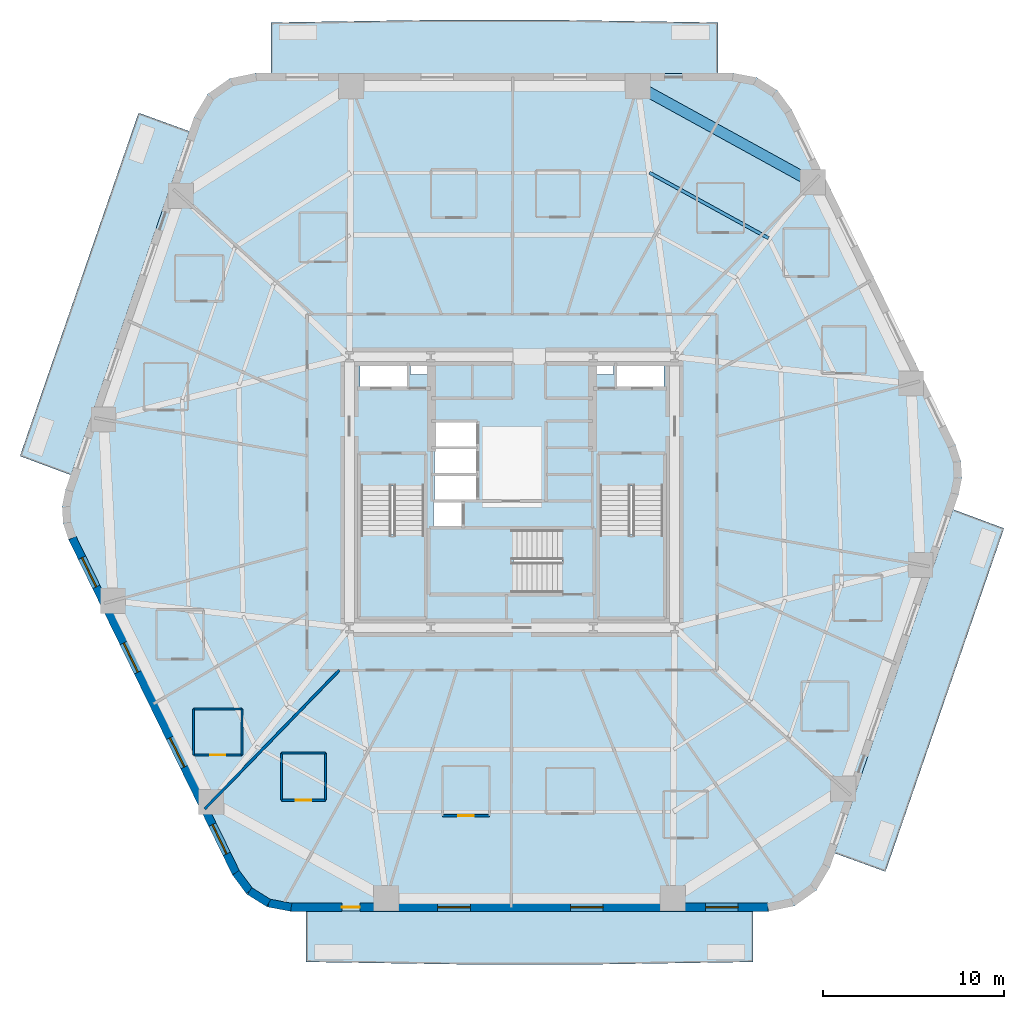
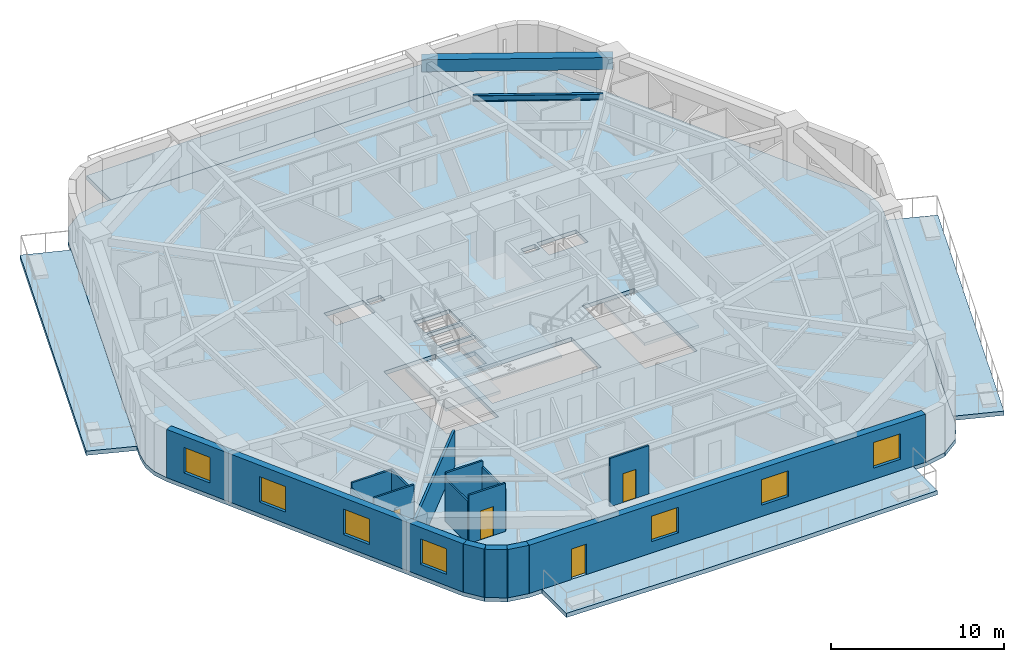
# One storey, part 2 of 11: 15 walls, 8 slabs, 7 windows, 4 doors, 2 beams, 11 openings, 3 elements without a shape of their own.
"""IFC4 building model written with IfcOpenShell, lengths in metres."""

from ifc_helpers import new_model, si_unit, direction, frame, frame_2d, origin, origin_2d, place, context, subcontext, project, spatial, polyline, rectangle, i_section, outline, extrude, material, layer, layer_set, material_profile, profile_set, type_object, element, fill, aggregate, save


model = new_model("IFC4")

# Units and contexts
model_context = context("Model", 3, precision=1e-05, world=origin(), true_north=direction((0.0, 1.0)))
body_context = subcontext(model_context, "Body", "Model", "MODEL_VIEW")
ifc_project = project(units=[si_unit("LENGTHUNIT", "METRE"), si_unit("AREAUNIT", "SQUARE_METRE"), si_unit("VOLUMEUNIT", "CUBIC_METRE"), si_unit("PLANEANGLEUNIT", "RADIAN"), si_unit("MASSUNIT", "GRAM", prefix="KILO")], contexts=[model_context])

# Site, building, storey
site_placement = place(None, origin())
site = spatial("IfcSite", under=ifc_project, at=site_placement, CompositionType="ELEMENT")
building_placement = place(site_placement, origin())
building = spatial("IfcBuilding", under=site, at=building_placement, Name="Kilnhurst Terrace Hotel", CompositionType="ELEMENT")
storey_placement = place(building_placement, frame((0.0, 0.0, 34.199951171875)))
storey = spatial("IfcBuildingStorey", under=building, at=storey_placement, Name="L06", CompositionType="ELEMENT", Elevation=34.199951171875)

# Beams
ifc_material_1 = material(Name="Concrete C50/60", Category="concrete")
ifc_material_profile_1 = material_profile(ifc_material_1, rectangle(XDim=0.60009765625, YDim=0.85009765625, at=origin_2d()), Name="RC600X850")
ifc_profile_set_1 = profile_set([ifc_material_profile_1], Name="Concrete C50/60")
beam_type_1 = type_object("IfcBeamType", Name="BM-SPN-600X850", PredefinedType="SPANDREL", material=ifc_profile_set_1)
beam_1_placement = place(storey_placement, frame((16.64306640625, 17.152099609375, 2.97509765625), z_axis=(-0.876235488803, 0.481883147829, 0.0), x_axis=(-0.481883147829, -0.876235488803, 0.0)))
element("IfcBeam", 1, at=beam_1_placement, inside=storey, type_object=beam_type_1, Name="L06 Perimeter Spandrel Beam 6", PredefinedType="SPANDREL", context=body_context, shape_type="SweptSolid", body=[
    extrude(rectangle(XDim=0.60009765625, YDim=0.85009765625, at=origin_2d()), origin(), (0.0, 0.0, 1.0), 11.056396484375),
])
ifc_material_2 = material(Name="Steel ASTM A992 Grade 50", Category="steel")
ifc_material_profile_2 = material_profile(ifc_material_2, i_section(OverallWidth=0.180908203125, OverallDepth=0.417236328125, WebThickness=0.010986328125, FlangeThickness=0.018310546875, at=origin_2d()), Name="W16X57")
ifc_profile_set_2 = profile_set([ifc_material_profile_2], Name="Steel ASTM A992 Grade 50")
beam_type_2 = type_object("IfcBeamType", Name="JST-STL-W16X57", PredefinedType="JOIST", material=ifc_profile_set_2)
beam_2_placement = place(storey_placement, frame((14.197265625, 14.0634765625, 3.191162109375), z_axis=(-0.876246073632, 0.481863900334, 0.0), x_axis=(-0.481863900334, -0.876246073632, 0.0)))
element("IfcBeam", 2, at=beam_2_placement, inside=storey, type_object=beam_type_2, Name="L06 Secondary Floor Steel Joist OUT.6", PredefinedType="JOIST", context=body_context, shape_type="SweptSolid", body=[
    extrude(i_section(OverallWidth=0.180908203125, OverallDepth=0.417236328125, WebThickness=0.010986328125, FlangeThickness=0.018310546875, at=origin_2d()), origin(), (0.0, 0.0, 1.0), 7.518310546875),
])

# Slabs
ifc_layer_1 = layer(ifc_material_1, 0.300048828125, Name="Concrete C50/60")
ifc_layer_set_1 = layer_set([ifc_layer_1], Name="Concrete C50/60")
slab_type_1 = type_object("IfcSlabType", Name="SLB-BAL-300", PredefinedType="FLOOR", material=ifc_layer_set_1)
slab_1_placement = place(storey_placement, frame((0.0, 0.0, -0.300048828125)))
element("IfcSlab", 3, at=slab_1_placement, inside=storey, type_object=slab_type_1, Name="L06 Cantilevered Planted Terrace Slab BAL-L1A", PredefinedType="FLOOR", context=body_context, shape_type="SweptSolid", body=[
    extrude(outline(polyline([(4.229248046875, -26.139892578125), (-2.279541015625, -26.139892578125), (-11.39208984375, -26.0), (-11.39208984375, -23.179931640625), (13.341552734375, -23.179931640625), (13.341552734375, -26.0), (4.229248046875, -26.139892578125)])), origin(), (0.0, 0.0, 1.0), 0.300048828125),
])
slab_2_placement = place(storey_placement, frame((0.0, 0.0, -0.300048828125)))
element("IfcSlab", 4, at=slab_2_placement, inside=storey, type_object=slab_type_1, Name="L06 Cantilevered Planted Terrace Slab BAL-L1B", PredefinedType="FLOOR", context=body_context, shape_type="SweptSolid", body=[
    extrude(outline(polyline([(20.670166015625, -21.0), (17.84912109375, -19.975341796875), (24.410888671875, -0.9501953125), (27.23388671875, -2.0), (23.98046875, -11.4296875), (20.670166015625, -21.0)])), origin(), (0.0, 0.0, 1.0), 0.300048828125),
])
slab_3_placement = place(storey_placement, frame((0.0, 0.0, -0.300048828125)))
element("IfcSlab", 5, at=slab_3_placement, inside=storey, type_object=slab_type_1, Name="L06 Cantilevered Planted Terrace Slab BAL-L2A", PredefinedType="FLOOR", context=body_context, shape_type="SweptSolid", body=[
    extrude(outline(polyline([(2.279541015625, 26.139892578125), (11.39208984375, 26.0), (11.39208984375, 23.179931640625), (-13.341552734375, 23.179931640625), (-13.341552734375, 26.0), (-4.229248046875, 26.139892578125), (2.279541015625, 26.139892578125)])), origin(), (0.0, 0.0, 1.0), 0.300048828125),
])
slab_4_placement = place(storey_placement, frame((0.0, 0.0, -0.300048828125)))
element("IfcSlab", 6, at=slab_4_placement, inside=storey, type_object=slab_type_1, Name="L06 Cantilevered Planted Terrace Slab BAL-L2B", PredefinedType="FLOOR", context=body_context, shape_type="SweptSolid", body=[
    extrude(outline(polyline([(-20.670166015625, 21.0), (-17.84912109375, 19.975341796875), (-24.410888671875, 0.9501953125), (-27.23388671875, 2.0), (-23.98046875, 11.4296875), (-20.670166015625, 21.0)])), origin(), (0.0, 0.0, 1.0), 0.300048828125),
])
ifc_layer_2 = layer(ifc_material_1, 0.280029296875, Name="Concrete C50/60")
ifc_layer_set_2 = layer_set([ifc_layer_2], Name="Concrete C50/60")
slab_type_2 = type_object("IfcSlabType", Name="SLB-FLR-280", PredefinedType="FLOOR", material=ifc_layer_set_2)
slab_5_placement = place(storey_placement, frame((0.0, 0.0, -0.280029296875)))
element("IfcSlab", 7, at=slab_5_placement, inside=storey, type_object=slab_type_2, Name="L06 Structural Floor Slab", PredefinedType="FLOOR", context=body_context, shape_type="SweptSolid", body=[
    extrude(outline(polyline([(-15.476806640625, -21.18017578125), (-14.680908203125, -22.248046875), (-13.551025390625, -22.95361328125), (-12.241943359375, -23.199951171875), (14.191650390625, -23.199951171875), (15.635986328125, -22.8974609375), (16.837890625, -22.040771484375), (17.5947265625, -20.773681640625), (24.712890625, -0.135986328125), (24.90087890625, 0.7861328125), (24.843505859375, 1.7255859375), (24.54443359375, 2.617919921875), (15.476806640625, 21.18017578125), (14.680908203125, 22.248046875), (13.551025390625, 22.95361328125), (12.241943359375, 23.199951171875), (-14.191650390625, 23.199951171875), (-15.635986328125, 22.8974609375), (-16.837890625, 22.040771484375), (-17.5947265625, 20.773681640625), (-24.712890625, 0.135986328125), (-24.90087890625, -0.7861328125), (-24.843505859375, -1.7255859375), (-24.54443359375, -2.617919921875), (-15.476806640625, -21.18017578125)]), holes=[polyline([(-8.35009765625, 0.35498046875), (-4.8798828125, 0.35498046875), (-4.8798828125, -6.89990234375), (-8.35009765625, -6.89990234375), (-8.35009765625, 0.35498046875)]), polyline([(-2.800048828125, -1.89990234375), (-4.35009765625, -1.89990234375), (-4.35009765625, -0.550048828125), (-2.800048828125, -0.550048828125), (-2.800048828125, -1.89990234375)]), polyline([(-1.949951171875, -0.429931640625), (-4.300048828125, -0.429931640625), (-4.300048828125, 0.89990234375), (-1.949951171875, 0.89990234375), (-1.949951171875, -0.429931640625)]), polyline([(-4.300048828125, 1.050048828125), (-4.300048828125, 2.3798828125), (-1.949951171875, 2.3798828125), (-1.949951171875, 1.050048828125), (-4.300048828125, 1.050048828125)]), polyline([(-8.39990234375, 5.75), (-8.39990234375, 7.14990234375), (-5.800048828125, 7.14990234375), (-5.800048828125, 5.75), (-8.39990234375, 5.75)]), polyline([(-4.659912109375, 6.52001953125), (-5.6201171875, 6.52001953125), (-5.6201171875, 7.080078125), (-4.659912109375, 7.080078125), (-4.659912109375, 6.52001953125)]), polyline([(2.7548828125, -5.550048828125), (-4.5, -5.550048828125), (-4.5, -2.080078125), (2.7548828125, -2.080078125), (2.7548828125, -5.550048828125)]), polyline([(8.35009765625, 0.35498046875), (8.35009765625, -6.89990234375), (4.8798828125, -6.89990234375), (4.8798828125, 0.35498046875), (8.35009765625, 0.35498046875)]), polyline([(-1.949951171875, 2.530029296875), (-4.300048828125, 2.530029296875), (-4.300048828125, 3.860107421875), (-1.949951171875, 3.860107421875), (-1.949951171875, 2.530029296875)]), polyline([(5.800048828125, 5.75), (5.800048828125, 7.14990234375), (8.39990234375, 7.14990234375), (8.39990234375, 5.75), (5.800048828125, 5.75)]), polyline([(4.659912109375, 6.52001953125), (4.659912109375, 7.080078125), (5.6201171875, 7.080078125), (5.6201171875, 6.52001953125), (4.659912109375, 6.52001953125)])]), origin(), (0.0, 0.0, 1.0), 0.280029296875),
])

# Stair, slab
stair_type = type_object("IfcStairType", Name="STR-CORE-1660", PredefinedType="HALF_TURN_STAIR", material=ifc_material_1)
stair_1_placement = place(storey_placement, origin())
stair_1 = element("IfcStair", 8, at=stair_1_placement, inside=storey, type_object=stair_type, Name="L06 ST-1", PredefinedType="HALF_TURN_STAIR")
ifc_layer_3 = layer(ifc_material_1, 0.199951171875, Name="Concrete C50/60")
ifc_layer_set_3 = layer_set([ifc_layer_3], Name="Concrete C50/60")
slab_type_3 = type_object("IfcSlabType", Name="SLB-ST-LND-200", PredefinedType="LANDING", material=ifc_layer_set_3)
slab_6_placement = place(storey_placement, frame((0.0, 0.0, 1.650146484375)))
slab_6 = element("IfcSlab", 9, at=slab_6_placement, type_object=slab_type_3, Name="ST-1 landing 1", PredefinedType="LANDING", context=body_context, shape_type="SweptSolid", body=[
    extrude(outline(polyline([(-8.429931640625, -2.330078125), (-4.800048828125, -2.330078125), (-4.800048828125, -6.97998046875), (-8.429931640625, -6.97998046875), (-8.429931640625, -2.330078125)])), origin(), (0.0, 0.0, 1.0), 0.199951171875),
])
aggregate(stair_1, [slab_6])

stair_2_placement = place(storey_placement, origin())
stair_2 = element("IfcStair", 10, at=stair_2_placement, inside=storey, type_object=stair_type, Name="L06 ST-2", PredefinedType="HALF_TURN_STAIR")
slab_7_placement = place(storey_placement, frame((0.0, 0.0, 1.650146484375)))
slab_7 = element("IfcSlab", 11, at=slab_7_placement, type_object=slab_type_3, Name="ST-2 landing 1", PredefinedType="LANDING", context=body_context, shape_type="SweptSolid", body=[
    extrude(outline(polyline([(4.800048828125, -2.330078125), (8.429931640625, -2.330078125), (8.429931640625, -6.97998046875), (4.800048828125, -6.97998046875), (4.800048828125, -2.330078125)])), origin(), (0.0, 0.0, 1.0), 0.199951171875),
])
aggregate(stair_2, [slab_7])

stair_3_placement = place(storey_placement, origin())
stair_3 = element("IfcStair", 12, at=stair_3_placement, inside=storey, type_object=stair_type, Name="L06 ST-3", PredefinedType="HALF_TURN_STAIR")
slab_8_placement = place(storey_placement, frame((0.0, 0.0, 1.650146484375)))
slab_8 = element("IfcSlab", 13, at=slab_8_placement, type_object=slab_type_3, Name="ST-3 landing 1", PredefinedType="LANDING", context=body_context, shape_type="SweptSolid", body=[
    extrude(outline(polyline([(0.070068359375, -2.0), (0.070068359375, -5.6298828125), (-4.580078125, -5.6298828125), (-4.580078125, -2.0), (0.070068359375, -2.0)])), origin(), (0.0, 0.0, 1.0), 0.199951171875),
])
aggregate(stair_3, [slab_8])

# Walls
ifc_material_3 = material(Name="Precast concrete C40/50", Category="concrete")
ifc_layer_4 = layer(ifc_material_3, 0.449951171875, Name="Precast concrete C40/50")
ifc_layer_set_4 = layer_set([ifc_layer_4], Name="Precast concrete C40/50")
wall_type_1 = type_object("IfcWallType", Name="WL-BRK-450", PredefinedType="SOLIDWALL", material=ifc_layer_set_4)
wall_1_placement = place(storey_placement, frame((-15.28369140625, -21.0625, 0.0), z_axis=(0.0, 0.0, 1.0), x_axis=(0.597595366449, -0.801797841104, 0.0)))
element("IfcWall", 14, at=wall_1_placement, inside=storey, type_object=wall_type_1, Name="L06 Rounded Corner Brick Wall C1.1", PredefinedType="SOLIDWALL", context=body_context, shape_type="SweptSolid", body=[
    extrude(rectangle(XDim=1.2685546875, YDim=0.449951171875, at=frame_2d((0.63427734375, 0.0))), origin(), (0.0, 0.0, 1.0), 3.400146484375),
])
wall_2_placement = place(storey_placement, frame((-14.525634765625, -22.07958984375, 0.0), z_axis=(0.0, 0.0, 1.0), x_axis=(0.848185203596, -0.529699783275, 0.0)))
element("IfcWall", 15, at=wall_2_placement, inside=storey, type_object=wall_type_1, Name="L06 Rounded Corner Brick Wall C1.2", PredefinedType="SOLIDWALL", context=body_context, shape_type="SweptSolid", body=[
    extrude(rectangle(XDim=1.247314453125, YDim=0.449951171875, at=frame_2d((0.62353515625, 0.0))), origin(), (0.0, 0.0, 1.0), 3.400146484375),
])
wall_3_placement = place(storey_placement, frame((-13.4677734375, -22.740234375, 0.0), z_axis=(0.0, 0.0, 1.0), x_axis=(0.982717174228, -0.185113358451, 0.0)))
element("IfcWall", 16, at=wall_3_placement, inside=storey, type_object=wall_type_1, Name="L06 Rounded Corner Brick Wall C1.3", PredefinedType="SOLIDWALL", context=body_context, shape_type="SweptSolid", body=[
    extrude(rectangle(XDim=1.268798828125, YDim=0.449951171875, at=frame_2d((0.63427734375, 0.0))), origin(), (0.0, 0.0, 1.0), 3.400146484375),
])

# Wall, openings, door, windows
wall_4_placement = place(storey_placement, frame((-12.220947265625, -22.97509765625, 0.0), z_axis=(0.0, 0.0, 1.0), x_axis=(1.0, 0.0, 0.0)))
wall_4 = element("IfcWall", 17, at=wall_4_placement, inside=storey, type_object=wall_type_1, Name="L06 Exterior Brick Facade Wall F1", PredefinedType="SOLIDWALL", context=body_context, shape_type="SweptSolid", body=[
    extrude(rectangle(XDim=26.38916015625, YDim=0.449951171875, at=frame_2d((13.194580078125, 0.0))), origin(), (0.0, 0.0, 1.0), 3.400146484375),
])
opening_1_placement = place(wall_4_placement, frame((2.799072265625, 0.0, 0.0)))
opening_1 = element("IfcOpeningElement", 18, at=opening_1_placement, cuts=wall_4, Name="Opening BD-1000", PredefinedType="OPENING", context=body_context, shape_type="SweptSolid", body=[
    extrude(rectangle(XDim=1.0, YDim=2.14990234375, at=frame_2d((0.5, 1.074951171875))), frame((0.0, 0.23486328125, 0.0), z_axis=(0.0, -1.0, 0.0), x_axis=(1.0, 0.0, 0.0)), (0.0, 0.0, 1.0), 0.469970703125),
])
opening_2_placement = place(wall_4_placement, frame((8.110107421875, 0.0, 0.800048828125)))
opening_2 = element("IfcOpeningElement", 19, at=opening_2_placement, cuts=wall_4, Name="Opening W-01", PredefinedType="OPENING", context=body_context, shape_type="SweptSolid", body=[
    extrude(rectangle(XDim=1.800048828125, YDim=1.800048828125, at=frame_2d((0.89990234375, 0.89990234375))), frame((0.0, 0.23486328125, 0.0), z_axis=(0.0, -1.0, 0.0), x_axis=(1.0, 0.0, 0.0)), (0.0, 0.0, 1.0), 0.469970703125),
])
opening_3_placement = place(wall_4_placement, frame((15.4599609375, 0.0, 0.800048828125)))
opening_3 = element("IfcOpeningElement", 20, at=opening_3_placement, cuts=wall_4, Name="Opening W-01", PredefinedType="OPENING", context=body_context, shape_type="SweptSolid", body=[
    extrude(rectangle(XDim=1.800048828125, YDim=1.800048828125, at=frame_2d((0.89990234375, 0.89990234375))), frame((0.0, 0.23486328125, 0.0), z_axis=(0.0, -1.0, 0.0), x_axis=(1.0, 0.0, 0.0)), (0.0, 0.0, 1.0), 0.469970703125),
])
opening_4_placement = place(wall_4_placement, frame((22.93798828125, 0.0, 0.800048828125)))
opening_4 = element("IfcOpeningElement", 21, at=opening_4_placement, cuts=wall_4, Name="Opening W-01", PredefinedType="OPENING", context=body_context, shape_type="SweptSolid", body=[
    extrude(rectangle(XDim=1.800048828125, YDim=1.800048828125, at=frame_2d((0.89990234375, 0.89990234375))), frame((0.0, 0.23486328125, 0.0), z_axis=(0.0, -1.0, 0.0), x_axis=(1.0, 0.0, 0.0)), (0.0, 0.0, 1.0), 0.469970703125),
])
ifc_material_4 = material(Name="Thermally Broken Bronze Aluminium Alloy 6063-T6 and Laminated Glass", Category="aluminium")
door_type_1 = type_object("IfcDoorType", Name="DR-EXT-BAL-1000", OperationType="NOTDEFINED", PredefinedType="DOOR", material=ifc_material_4)
door_1_placement = place(opening_1_placement, origin())
door_1 = element("IfcDoor", 22, at=door_1_placement, inside=storey, type_object=door_type_1, Name="L06 Planted Balcony Door BAL-L1A", OperationType="SINGLE_SWING_LEFT", OverallHeight=2.14990234375, OverallWidth=1.0, PredefinedType="DOOR", context=body_context, shape_type="SweptSolid", body=[
    extrude(rectangle(XDim=1.0, YDim=2.14990234375, at=frame_2d((0.5, 1.074951171875))), frame((0.0, 0.02490234375, 0.0), z_axis=(0.0, -1.0, 0.0), x_axis=(1.0, 0.0, 0.0)), (0.0, 0.0, 1.0), 0.050048828125),
])
fill(opening_1, door_1)
ifc_material_5 = material(Name="Thermally Broken Bronze Aluminium Alloy 6063-T6 and Low-E Glass", Category="aluminium")
window_type = type_object("IfcWindowType", Name="WIN-1800X1800", PartitioningType="SINGLE_PANEL", PredefinedType="WINDOW", material=ifc_material_5)
window_1_placement = place(opening_2_placement, origin())
window_1 = element("IfcWindow", 23, at=window_1_placement, inside=storey, type_object=window_type, Name="L06 Deep-Set Masonry Window F1.1", OverallHeight=1.800048828125, OverallWidth=1.800048828125, PartitioningType="SINGLE_PANEL", PredefinedType="WINDOW", context=body_context, shape_type="SweptSolid", body=[
    extrude(rectangle(XDim=1.800048828125, YDim=1.800048828125, at=frame_2d((0.89990234375, 0.89990234375))), frame((0.0, 0.030029296875, 0.0), z_axis=(0.0, -1.0, 0.0), x_axis=(1.0, 0.0, 0.0)), (0.0, 0.0, 1.0), 0.06005859375),
])
fill(opening_2, window_1)
window_2_placement = place(opening_3_placement, origin())
window_2 = element("IfcWindow", 24, at=window_2_placement, inside=storey, type_object=window_type, Name="L06 Deep-Set Masonry Window F1.2", OverallHeight=1.800048828125, OverallWidth=1.800048828125, PartitioningType="SINGLE_PANEL", PredefinedType="WINDOW", context=body_context, shape_type="SweptSolid", body=[
    extrude(rectangle(XDim=1.800048828125, YDim=1.800048828125, at=frame_2d((0.89990234375, 0.89990234375))), frame((0.0, 0.030029296875, 0.0), z_axis=(0.0, -1.0, 0.0), x_axis=(1.0, 0.0, 0.0)), (0.0, 0.0, 1.0), 0.06005859375),
])
fill(opening_3, window_2)
window_3_placement = place(opening_4_placement, origin())
window_3 = element("IfcWindow", 25, at=window_3_placement, inside=storey, type_object=window_type, Name="L06 Deep-Set Masonry Window F1.3", OverallHeight=1.800048828125, OverallWidth=1.800048828125, PartitioningType="SINGLE_PANEL", PredefinedType="WINDOW", context=body_context, shape_type="SweptSolid", body=[
    extrude(rectangle(XDim=1.800048828125, YDim=1.800048828125, at=frame_2d((0.89990234375, 0.89990234375))), frame((0.0, 0.030029296875, 0.0), z_axis=(0.0, -1.0, 0.0), x_axis=(1.0, 0.0, 0.0)), (0.0, 0.0, 1.0), 0.06005859375),
])
fill(opening_4, window_3)

# Wall, openings, windows
wall_5_placement = place(storey_placement, frame((-24.335693359375, -2.532470703125, 0.0), z_axis=(0.0, 0.0, 1.0), x_axis=(0.438931326393, -0.898520612291, 0.0)))
wall_5 = element("IfcWall", 26, at=wall_5_placement, inside=storey, type_object=wall_type_1, Name="L06 Exterior Brick Facade Wall F6", PredefinedType="SOLIDWALL", context=body_context, shape_type="SweptSolid", body=[
    extrude(rectangle(XDim=20.622802734375, YDim=0.449951171875, at=frame_2d((10.3115234375, 0.0))), origin(), (0.0, 0.0, 1.0), 3.400146484375),
])
opening_5_placement = place(wall_5_placement, frame((1.214111328125, 0.0, 0.800048828125)))
opening_5 = element("IfcOpeningElement", 27, at=opening_5_placement, cuts=wall_5, Name="Opening W-01", PredefinedType="OPENING", context=body_context, shape_type="SweptSolid", body=[
    extrude(rectangle(XDim=1.800048828125, YDim=1.800048828125, at=frame_2d((0.89990234375, 0.89990234375))), frame((0.0, 0.23486328125, 0.0), z_axis=(0.0, -1.0, 0.0), x_axis=(1.0, 0.0, 0.0)), (0.0, 0.0, 1.0), 0.469970703125),
])
opening_6_placement = place(wall_5_placement, frame((6.469970703125, 0.0, 0.800048828125)))
opening_6 = element("IfcOpeningElement", 28, at=opening_6_placement, cuts=wall_5, Name="Opening W-01", PredefinedType="OPENING", context=body_context, shape_type="SweptSolid", body=[
    extrude(rectangle(XDim=1.800048828125, YDim=1.800048828125, at=frame_2d((0.89990234375, 0.89990234375))), frame((0.0, 0.23486328125, 0.0), z_axis=(0.0, -1.0, 0.0), x_axis=(1.0, 0.0, 0.0)), (0.0, 0.0, 1.0), 0.469970703125),
])
opening_7_placement = place(wall_5_placement, frame((12.31103515625, 0.0, 0.800048828125)))
opening_7 = element("IfcOpeningElement", 29, at=opening_7_placement, cuts=wall_5, Name="Opening W-01", PredefinedType="OPENING", context=body_context, shape_type="SweptSolid", body=[
    extrude(rectangle(XDim=1.800048828125, YDim=1.800048828125, at=frame_2d((0.89990234375, 0.89990234375))), frame((0.0, 0.23486328125, 0.0), z_axis=(0.0, -1.0, 0.0), x_axis=(1.0, 0.0, 0.0)), (0.0, 0.0, 1.0), 0.469970703125),
])
opening_8_placement = place(wall_5_placement, frame((17.659912109375, 0.0, 0.800048828125)))
opening_8 = element("IfcOpeningElement", 30, at=opening_8_placement, cuts=wall_5, Name="Opening W-01", PredefinedType="OPENING", context=body_context, shape_type="SweptSolid", body=[
    extrude(rectangle(XDim=1.800048828125, YDim=1.800048828125, at=frame_2d((0.89990234375, 0.89990234375))), frame((0.0, 0.23486328125, 0.0), z_axis=(0.0, -1.0, 0.0), x_axis=(1.0, 0.0, 0.0)), (0.0, 0.0, 1.0), 0.469970703125),
])
window_4_placement = place(opening_5_placement, origin())
window_4 = element("IfcWindow", 31, at=window_4_placement, inside=storey, type_object=window_type, Name="L06 Deep-Set Masonry Window F6.1", OverallHeight=1.800048828125, OverallWidth=1.800048828125, PartitioningType="SINGLE_PANEL", PredefinedType="WINDOW", context=body_context, shape_type="SweptSolid", body=[
    extrude(rectangle(XDim=1.800048828125, YDim=1.800048828125, at=frame_2d((0.89990234375, 0.89990234375))), frame((0.0, 0.030029296875, 0.0), z_axis=(0.0, -1.0, 0.0), x_axis=(1.0, 0.0, 0.0)), (0.0, 0.0, 1.0), 0.06005859375),
])
fill(opening_5, window_4)
window_5_placement = place(opening_6_placement, origin())
window_5 = element("IfcWindow", 32, at=window_5_placement, inside=storey, type_object=window_type, Name="L06 Deep-Set Masonry Window F6.2", OverallHeight=1.800048828125, OverallWidth=1.800048828125, PartitioningType="SINGLE_PANEL", PredefinedType="WINDOW", context=body_context, shape_type="SweptSolid", body=[
    extrude(rectangle(XDim=1.800048828125, YDim=1.800048828125, at=frame_2d((0.89990234375, 0.89990234375))), frame((0.0, 0.030029296875, 0.0), z_axis=(0.0, -1.0, 0.0), x_axis=(1.0, 0.0, 0.0)), (0.0, 0.0, 1.0), 0.06005859375),
])
fill(opening_6, window_5)
window_6_placement = place(opening_7_placement, origin())
window_6 = element("IfcWindow", 33, at=window_6_placement, inside=storey, type_object=window_type, Name="L06 Deep-Set Masonry Window F6.3", OverallHeight=1.800048828125, OverallWidth=1.800048828125, PartitioningType="SINGLE_PANEL", PredefinedType="WINDOW", context=body_context, shape_type="SweptSolid", body=[
    extrude(rectangle(XDim=1.800048828125, YDim=1.800048828125, at=frame_2d((0.89990234375, 0.89990234375))), frame((0.0, 0.030029296875, 0.0), z_axis=(0.0, -1.0, 0.0), x_axis=(1.0, 0.0, 0.0)), (0.0, 0.0, 1.0), 0.06005859375),
])
fill(opening_7, window_6)
window_7_placement = place(opening_8_placement, origin())
window_7 = element("IfcWindow", 34, at=window_7_placement, inside=storey, type_object=window_type, Name="L06 Deep-Set Masonry Window F6.4", OverallHeight=1.800048828125, OverallWidth=1.800048828125, PartitioningType="SINGLE_PANEL", PredefinedType="WINDOW", context=body_context, shape_type="SweptSolid", body=[
    extrude(rectangle(XDim=1.800048828125, YDim=1.800048828125, at=frame_2d((0.89990234375, 0.89990234375))), frame((0.0, 0.030029296875, 0.0), z_axis=(0.0, -1.0, 0.0), x_axis=(1.0, 0.0, 0.0)), (0.0, 0.0, 1.0), 0.06005859375),
])
fill(opening_8, window_7)

# Wall
ifc_material_6 = material(Name="STC-58 Acoustic Twin-Frame Guestroom Demising Partition")
ifc_layer_5 = layer(ifc_material_6, 0.14990234375, Name="STC-58 Acoustic Twin-Frame Guestroom Demising Partition")
ifc_layer_set_5 = layer_set([ifc_layer_5], Name="STC-58 Acoustic Twin-Frame Guestroom Demising Partition")
wall_type_2 = type_object("IfcWallType", Name="WL-DEM-150", PredefinedType="PARTITIONING", material=ifc_layer_set_5)
wall_6_placement = place(storey_placement, frame((-9.5576171875, -9.85009765625, 0.0), z_axis=(0.0, 0.0, 1.0), x_axis=(-0.69638346089, -0.717669893056, 0.0)))
element("IfcWall", 35, at=wall_6_placement, inside=storey, type_object=wall_type_2, Name="L06 Interior Wall WL-L06-DEM-COL08-13-1", PredefinedType="PARTITIONING", context=body_context, shape_type="SweptSolid", body=[
    extrude(rectangle(XDim=10.700927734375, YDim=0.14990234375, at=frame_2d((5.3505859375, 0.0))), origin(), (0.0, 0.0, 1.0), 2.5400390625),
])

# Wall, opening, door
ifc_material_7 = material(Name="120 mm Moisture-Resistant Tile-Backed Bathroom Partition")
ifc_layer_6 = layer(ifc_material_7, 0.1201171875, Name="120 mm Moisture-Resistant Tile-Backed Bathroom Partition")
ifc_layer_set_6 = layer_set([ifc_layer_6], Name="120 mm Moisture-Resistant Tile-Backed Bathroom Partition")
wall_type_3 = type_object("IfcWallType", Name="WL-PART-120", PredefinedType="PARTITIONING", material=ifc_layer_set_6)
wall_7_placement = place(storey_placement, frame((-17.62890625, -14.5458984375, 0.0), z_axis=(0.0, 0.0, 1.0), x_axis=(1.0, 0.0, 0.0)))
wall_7 = element("IfcWall", 36, at=wall_7_placement, inside=storey, type_object=wall_type_3, Name="L06 Interior Wall WL-L06-BTH-12-1", PredefinedType="PARTITIONING", context=body_context, shape_type="SweptSolid", body=[
    extrude(rectangle(XDim=2.679931640625, YDim=0.1201171875, at=frame_2d((1.33984375, 0.0))), origin(), (0.0, 0.0, 1.0), 3.400146484375),
])
opening_9_placement = place(wall_7_placement, frame((0.9150390625, 0.0, 0.0)))
opening_9 = element("IfcOpeningElement", 37, at=opening_9_placement, cuts=wall_7, Name="Opening D-08A", PredefinedType="OPENING", context=body_context, shape_type="SweptSolid", body=[
    extrude(rectangle(XDim=0.85009765625, YDim=2.030029296875, at=frame_2d((0.425048828125, 1.01513671875))), frame((0.0, 0.070068359375, 0.0), z_axis=(0.0, -1.0, 0.0), x_axis=(1.0, 0.0, 0.0)), (0.0, 0.0, 1.0), 0.14013671875),
])
ifc_material_8 = material(Name="Moisture-Resistant Lacquered En-suite Bathroom Door")
door_type_2 = type_object("IfcDoorType", Name="DR-INT-850", OperationType="NOTDEFINED", PredefinedType="DOOR", material=ifc_material_8)
door_2_placement = place(opening_9_placement, origin())
door_2 = element("IfcDoor", 38, at=door_2_placement, inside=storey, type_object=door_type_2, Name="L06 En-suite Bathroom Door 12", OperationType="SINGLE_SWING_LEFT", OverallHeight=2.030029296875, OverallWidth=0.85009765625, PredefinedType="DOOR", context=body_context, shape_type="SweptSolid", body=[
    extrude(rectangle(XDim=0.85009765625, YDim=2.030029296875, at=frame_2d((0.425048828125, 1.01513671875))), frame((0.0, 0.02490234375, 0.0), z_axis=(0.0, -1.0, 0.0), x_axis=(1.0, 0.0, 0.0)), (0.0, 0.0, 1.0), 0.050048828125),
])
fill(opening_9, door_2)

# Walls
wall_8_placement = place(storey_placement, frame((-14.948974609375, -14.5458984375, 0.0), z_axis=(0.0, 0.0, 1.0), x_axis=(0.0, 1.0, 0.0)))
element("IfcWall", 39, at=wall_8_placement, inside=storey, type_object=wall_type_3, Name="L06 Interior Wall WL-L06-BTH-12-2", PredefinedType="PARTITIONING", context=body_context, shape_type="SweptSolid", body=[
    extrude(rectangle(XDim=2.539794921875, YDim=0.1201171875, at=frame_2d((1.27001953125, 0.0))), origin(), (0.0, 0.0, 1.0), 2.926513671875),
])
wall_9_placement = place(storey_placement, frame((-14.948974609375, -12.006103515625, 0.0), z_axis=(0.0, 0.0, 1.0), x_axis=(-1.0, 0.0, 0.0)))
element("IfcWall", 40, at=wall_9_placement, inside=storey, type_object=wall_type_3, Name="L06 Interior Wall WL-L06-BTH-12-3", PredefinedType="PARTITIONING", context=body_context, shape_type="SweptSolid", body=[
    extrude(rectangle(XDim=2.679931640625, YDim=0.1201171875, at=frame_2d((1.33984375, 0.0))), origin(), (0.0, 0.0, 1.0), 2.926513671875),
])
wall_10_placement = place(storey_placement, frame((-17.62890625, -12.006103515625, 0.0), z_axis=(0.0, 0.0, 1.0), x_axis=(0.0, -1.0, 0.0)))
element("IfcWall", 41, at=wall_10_placement, inside=storey, type_object=wall_type_3, Name="L06 Interior Wall WL-L06-BTH-12-4", PredefinedType="PARTITIONING", context=body_context, shape_type="SweptSolid", body=[
    extrude(rectangle(XDim=2.539794921875, YDim=0.1201171875, at=frame_2d((1.27001953125, 0.0))), origin(), (0.0, 0.0, 1.0), 2.5400390625),
])

# Wall, opening, door
wall_11_placement = place(storey_placement, frame((-12.7548828125, -17.0458984375, 0.0), z_axis=(0.0, 0.0, 1.0), x_axis=(1.0, 0.0, 0.0)))
wall_11 = element("IfcWall", 42, at=wall_11_placement, inside=storey, type_object=wall_type_3, Name="L06 Interior Wall WL-L06-BTH-13-1", PredefinedType="PARTITIONING", context=body_context, shape_type="SweptSolid", body=[
    extrude(rectangle(XDim=2.43994140625, YDim=0.1201171875, at=frame_2d((1.219970703125, 0.0))), origin(), (0.0, 0.0, 1.0), 3.400146484375),
])
opening_10_placement = place(wall_11_placement, frame((0.794921875, 0.0, 0.0)))
opening_10 = element("IfcOpeningElement", 43, at=opening_10_placement, cuts=wall_11, Name="Opening D-08A", PredefinedType="OPENING", context=body_context, shape_type="SweptSolid", body=[
    extrude(rectangle(XDim=0.85009765625, YDim=2.030029296875, at=frame_2d((0.425048828125, 1.01513671875))), frame((0.0, 0.070068359375, 0.0), z_axis=(0.0, -1.0, 0.0), x_axis=(1.0, 0.0, 0.0)), (0.0, 0.0, 1.0), 0.14013671875),
])
door_3_placement = place(opening_10_placement, origin())
door_3 = element("IfcDoor", 44, at=door_3_placement, inside=storey, type_object=door_type_2, Name="L06 En-suite Bathroom Door 13", OperationType="SINGLE_SWING_RIGHT", OverallHeight=2.030029296875, OverallWidth=0.85009765625, PredefinedType="DOOR", context=body_context, shape_type="SweptSolid", body=[
    extrude(rectangle(XDim=0.85009765625, YDim=2.030029296875, at=frame_2d((0.425048828125, 1.01513671875))), frame((0.0, 0.02490234375, 0.0), z_axis=(0.0, -1.0, 0.0), x_axis=(1.0, 0.0, 0.0)), (0.0, 0.0, 1.0), 0.050048828125),
])
fill(opening_10, door_3)

# Walls
wall_12_placement = place(storey_placement, frame((-10.31494140625, -17.0458984375, 0.0), z_axis=(0.0, 0.0, 1.0), x_axis=(0.0, 1.0, 0.0)))
element("IfcWall", 45, at=wall_12_placement, inside=storey, type_object=wall_type_3, Name="L06 Interior Wall WL-L06-BTH-13-2", PredefinedType="PARTITIONING", context=body_context, shape_type="SweptSolid", body=[
    extrude(rectangle(XDim=2.60986328125, YDim=0.1201171875, at=frame_2d((1.304931640625, 0.0))), origin(), (0.0, 0.0, 1.0), 2.972412109375),
])
wall_13_placement = place(storey_placement, frame((-10.31494140625, -14.43603515625, 0.0), z_axis=(0.0, 0.0, 1.0), x_axis=(-1.0, 0.0, 0.0)))
element("IfcWall", 46, at=wall_13_placement, inside=storey, type_object=wall_type_3, Name="L06 Interior Wall WL-L06-BTH-13-3", PredefinedType="PARTITIONING", context=body_context, shape_type="SweptSolid", body=[
    extrude(rectangle(XDim=2.43994140625, YDim=0.1201171875, at=frame_2d((1.219970703125, 0.0))), origin(), (0.0, 0.0, 1.0), 3.400146484375),
])
wall_14_placement = place(storey_placement, frame((-12.7548828125, -14.43603515625, 0.0), z_axis=(0.0, 0.0, 1.0), x_axis=(0.0, -1.0, 0.0)))
element("IfcWall", 47, at=wall_14_placement, inside=storey, type_object=wall_type_3, Name="L06 Interior Wall WL-L06-BTH-13-4", PredefinedType="PARTITIONING", context=body_context, shape_type="SweptSolid", body=[
    extrude(rectangle(XDim=2.60986328125, YDim=0.1201171875, at=frame_2d((1.304931640625, 0.0))), origin(), (0.0, 0.0, 1.0), 2.972412109375),
])

# Wall, opening, door
wall_15_placement = place(storey_placement, frame((-3.85107421875, -17.912109375, 0.0), z_axis=(0.0, 0.0, 1.0), x_axis=(1.0, 0.0, 0.0)))
wall_15 = element("IfcWall", 48, at=wall_15_placement, inside=storey, type_object=wall_type_3, Name="L06 Interior Wall WL-L06-BTH-15-1", PredefinedType="PARTITIONING", context=body_context, shape_type="SweptSolid", body=[
    extrude(rectangle(XDim=2.60009765625, YDim=0.1201171875, at=frame_2d((1.300048828125, 0.0))), origin(), (0.0, 0.0, 1.0), 3.400146484375),
])
opening_11_placement = place(wall_15_placement, frame((0.875, 0.0, 0.0)))
opening_11 = element("IfcOpeningElement", 49, at=opening_11_placement, cuts=wall_15, Name="Opening D-08A", PredefinedType="OPENING", context=body_context, shape_type="SweptSolid", body=[
    extrude(rectangle(XDim=0.85009765625, YDim=2.030029296875, at=frame_2d((0.425048828125, 1.01513671875))), frame((0.0, 0.070068359375, 0.0), z_axis=(0.0, -1.0, 0.0), x_axis=(1.0, 0.0, 0.0)), (0.0, 0.0, 1.0), 0.14013671875),
])
door_4_placement = place(opening_11_placement, origin())
door_4 = element("IfcDoor", 50, at=door_4_placement, inside=storey, type_object=door_type_2, Name="L06 En-suite Bathroom Door 15", OperationType="SINGLE_SWING_RIGHT", OverallHeight=2.030029296875, OverallWidth=0.85009765625, PredefinedType="DOOR", context=body_context, shape_type="SweptSolid", body=[
    extrude(rectangle(XDim=0.85009765625, YDim=2.030029296875, at=frame_2d((0.425048828125, 1.01513671875))), frame((0.0, 0.02490234375, 0.0), z_axis=(0.0, -1.0, 0.0), x_axis=(1.0, 0.0, 0.0)), (0.0, 0.0, 1.0), 0.050048828125),
])
fill(opening_11, door_4)

save(model, "model.ifc")
